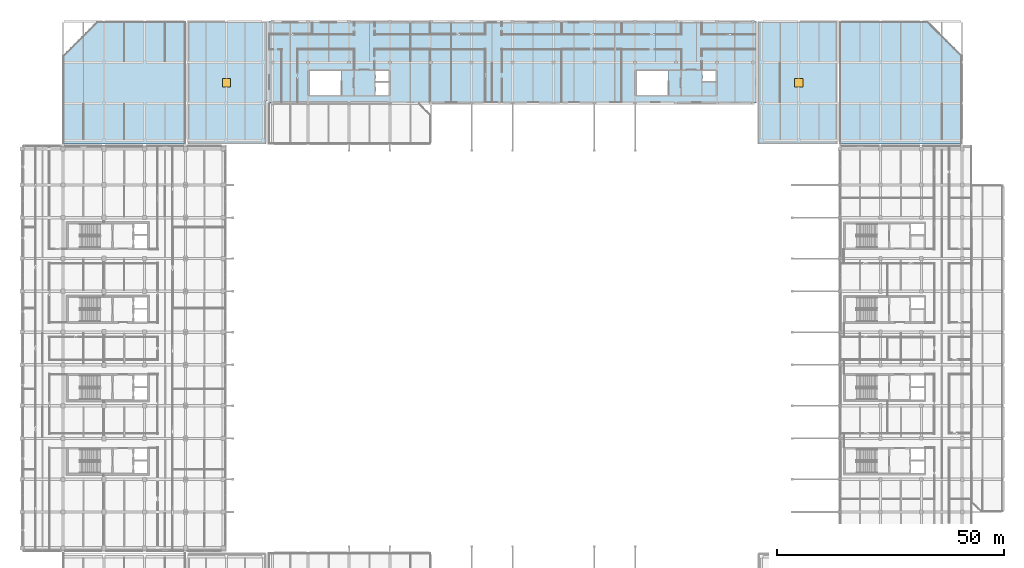
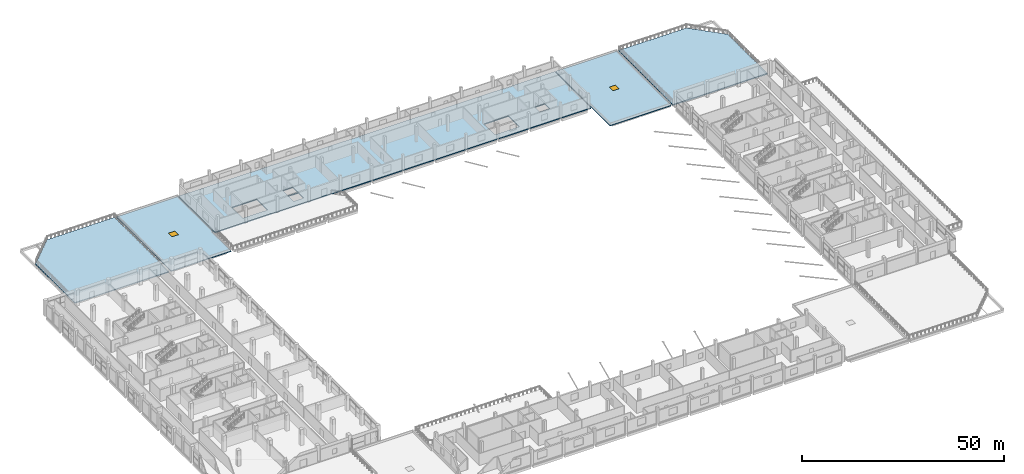
# One storey, part 41 of 82: 5 slabs, 2 windows, 2 openings.
"""IFC4 building model written with IfcOpenShell, lengths in metres."""

from ifc_helpers import new_model, si_unit, direction, frame, origin, origin_2d, place, context, subcontext, project, spatial, polyline, rectangle, outline, extrude, material, layer, layer_set, type_object, element, fill, save


model = new_model("IFC4")

# Units and contexts
model_context = context("Model", 3, precision=1e-05, world=origin(), true_north=direction((0.0, 1.0)))
body_context = subcontext(model_context, "Body", "Model", "MODEL_VIEW")
ifc_project = project(units=[si_unit("LENGTHUNIT", "METRE"), si_unit("AREAUNIT", "SQUARE_METRE"), si_unit("VOLUMEUNIT", "CUBIC_METRE"), si_unit("PLANEANGLEUNIT", "RADIAN"), si_unit("MASSUNIT", "GRAM", prefix="KILO"), si_unit("THERMODYNAMICTEMPERATUREUNIT", "KELVIN"), si_unit("POWERUNIT", "WATT")], contexts=[model_context])

# Site, building, storey
site_placement = place(None, origin())
site = spatial("IfcSite", under=ifc_project, at=site_placement, CompositionType="ELEMENT")
building_placement = place(site_placement, origin())
building = spatial("IfcBuilding", under=site, at=building_placement, Name="Sindhuravela Promenade Stadium", CompositionType="ELEMENT")
storey_placement = place(building_placement, frame((0.0, 0.0, 14.39990234375)))
storey = spatial("IfcBuildingStorey", under=building, at=storey_placement, Name="L03", CompositionType="ELEMENT", Elevation=14.39990234375)

# Slab
ifc_material_1 = material(Name="Concrete M40", Category="concrete")
ifc_layer_1 = layer(ifc_material_1, 0.300048828125)
ifc_layer_set_1 = layer_set([ifc_layer_1], Name="Concrete M40")
slab_type_1 = type_object("IfcSlabType", Name="SL-FLR-300", PredefinedType="FLOOR", material=ifc_layer_set_1)
slab_1_placement = place(storey_placement, frame((0.0, 0.0, -0.2998046875)))
element("IfcSlab", 1, at=slab_1_placement, inside=storey, type_object=slab_type_1, Name="Floor slab NORTH L03", PredefinedType="FLOOR", context=body_context, shape_type="SweptSolid", body=[
    extrude(outline(polyline([(54.25, 135.0), (161.75, 135.0), (161.75, 153.0), (54.25, 153.0), (54.25, 135.0)]), holes=[polyline([(63.300048828125, 136.800048828125), (70.34912109375, 136.800048828125), (70.34912109375, 142.199951171875), (63.300048828125, 142.199951171875), (63.300048828125, 136.800048828125)]), polyline([(77.800048828125, 139.800048828125), (80.699951171875, 139.800048828125), (80.699951171875, 142.199951171875), (77.800048828125, 142.199951171875), (77.800048828125, 139.800048828125)]), polyline([(77.800048828125, 136.800048828125), (80.699951171875, 136.800048828125), (80.699951171875, 139.5), (77.800048828125, 139.5), (77.800048828125, 136.800048828125)]), polyline([(135.300048828125, 136.800048828125), (142.34912109375, 136.800048828125), (142.34912109375, 142.199951171875), (135.300048828125, 142.199951171875), (135.300048828125, 136.800048828125)]), polyline([(149.800048828125, 139.800048828125), (152.699951171875, 139.800048828125), (152.699951171875, 142.199951171875), (149.800048828125, 142.199951171875), (149.800048828125, 139.800048828125)])]), origin(), (0.0, 0.0, 1.0), 0.2998046875),
])

# Slab, opening, window
ifc_layer_2 = layer(ifc_material_1, 0.2451171875)
ifc_layer_set_2 = layer_set([ifc_layer_2], Name="Concrete M40")
slab_type_2 = type_object("IfcSlabType", Name="SL-ROF-210", PredefinedType="ROOF", material=ifc_layer_set_2)
slab_2_placement = place(storey_placement, frame((0.0, 0.0, -0.244873046875)))
slab_2 = element("IfcSlab", 2, at=slab_2_placement, inside=storey, type_object=slab_type_2, Name="Main roof slab Pavilion NW L03", PredefinedType="ROOF", context=body_context, shape_type="SweptSolid", body=[
    extrude(outline(polyline([(54.0, 135.5), (53.75, 135.5), (53.75, 126.0), (36.5, 126.0), (36.5, 153.0), (54.0, 153.0), (54.0, 135.5)])), origin(), (0.0, 0.0, 1.0), 0.244873046875),
])
opening_1_placement = place(slab_2_placement, frame((45.0, 139.5, -0.010009765625)))
opening_1 = element("IfcOpeningElement", 3, at=opening_1_placement, cuts=slab_2, Name="Opening SK01", PredefinedType="OPENING", context=body_context, shape_type="SweptSolid", body=[
    extrude(rectangle(XDim=1.800048828125, YDim=1.800048828125, at=origin_2d()), origin(), (0.0, 0.0, 1.0), 0.264892578125),
])
ifc_material_2 = material(Name="Tempered laminated low-E glass", Category="glass")
window_type = type_object("IfcWindowType", Name="WN-SKY-1800x1800", PartitioningType="SINGLE_PANEL", PredefinedType="SKYLIGHT", material=ifc_material_2)
window_1_placement = place(slab_2_placement, frame((45.0, 139.5, 0.19482421875)))
window_1 = element("IfcWindow", 4, at=window_1_placement, inside=storey, type_object=window_type, Name="Concourse roof skylight SK01-11", OverallHeight=1.800048828125, OverallWidth=1.800048828125, PartitioningType="SINGLE_PANEL", PredefinedType="SKYLIGHT", context=body_context, shape_type="SweptSolid", body=[
    extrude(rectangle(XDim=1.800048828125, YDim=1.800048828125, at=origin_2d()), origin(), (0.0, 0.0, 1.0), 0.050048828125),
])
fill(opening_1, window_1)

slab_3_placement = place(storey_placement, frame((0.0, 0.0, -0.244873046875)))
slab_3 = element("IfcSlab", 5, at=slab_3_placement, inside=storey, type_object=slab_type_2, Name="Main roof slab Pavilion NE L03", PredefinedType="ROOF", context=body_context, shape_type="SweptSolid", body=[
    extrude(outline(polyline([(179.5, 126.0), (162.0, 126.0), (162.0, 153.0), (179.5, 153.0), (179.5, 126.0)])), origin(), (0.0, 0.0, 1.0), 0.244873046875),
])
opening_2_placement = place(slab_3_placement, frame((171.0, 139.5, -0.010009765625)))
opening_2 = element("IfcOpeningElement", 6, at=opening_2_placement, cuts=slab_3, Name="Opening SK01", PredefinedType="OPENING", context=body_context, shape_type="SweptSolid", body=[
    extrude(rectangle(XDim=1.800048828125, YDim=1.800048828125, at=origin_2d()), origin(), (0.0, 0.0, 1.0), 0.264892578125),
])
window_2_placement = place(slab_3_placement, frame((171.0, 139.5, 0.19482421875)))
window_2 = element("IfcWindow", 7, at=window_2_placement, inside=storey, type_object=window_type, Name="Concourse roof skylight SK01-12", OverallHeight=1.800048828125, OverallWidth=1.800048828125, PartitioningType="SINGLE_PANEL", PredefinedType="SKYLIGHT", context=body_context, shape_type="SweptSolid", body=[
    extrude(rectangle(XDim=1.800048828125, YDim=1.800048828125, at=origin_2d()), origin(), (0.0, 0.0, 1.0), 0.050048828125),
])
fill(opening_2, window_2)

# Slabs
ifc_layer_3 = layer(ifc_material_1, 0.27001953125)
ifc_layer_set_3 = layer_set([ifc_layer_3], Name="Concrete M40")
slab_type_3 = type_object("IfcSlabType", Name="SL-TER-270", PredefinedType="FLOOR", material=ifc_layer_set_3)
slab_4_placement = place(storey_placement, frame((0.0, 0.0, -0.27001953125)))
element("IfcSlab", 8, at=slab_4_placement, inside=storey, type_object=slab_type_3, Name="NW Gate Pavilion Planted Roof Garden", PredefinedType="FLOOR", context=body_context, shape_type="SweptSolid", body=[
    extrude(outline(polyline([(9.0, 126.0), (36.0, 126.0), (36.0, 153.0), (16.56005859375, 153.0), (9.0, 145.43994140625), (9.0, 126.0)])), origin(), (0.0, 0.0, 1.0), 0.27001953125),
])
ifc_layer_4 = layer(ifc_material_1, 0.31005859375)
ifc_layer_set_4 = layer_set([ifc_layer_4], Name="Concrete M40")
slab_type_4 = type_object("IfcSlabType", Name="SL-TER-310", PredefinedType="FLOOR", material=ifc_layer_set_4)
slab_5_placement = place(storey_placement, frame((0.0, 0.0, -0.309814453125)))
element("IfcSlab", 9, at=slab_5_placement, inside=storey, type_object=slab_type_4, Name="NE Gate Pavilion Planted Roof Garden", PredefinedType="FLOOR", context=body_context, shape_type="SweptSolid", body=[
    extrude(outline(polyline([(180.0, 126.0), (207.0, 126.0), (207.0, 145.43994140625), (199.43994140625, 153.0), (180.0, 153.0), (180.0, 126.0)])), origin(), (0.0, 0.0, 1.0), 0.309814453125),
])

save(model, "model.ifc")
